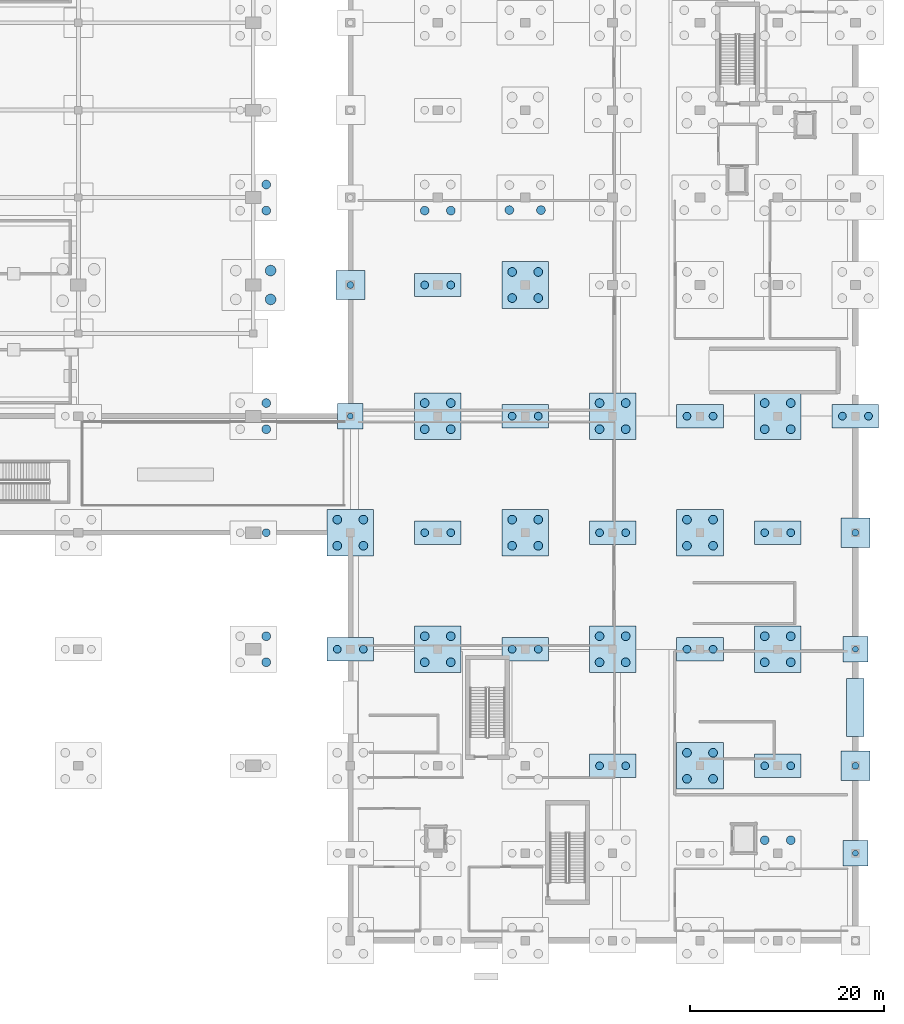
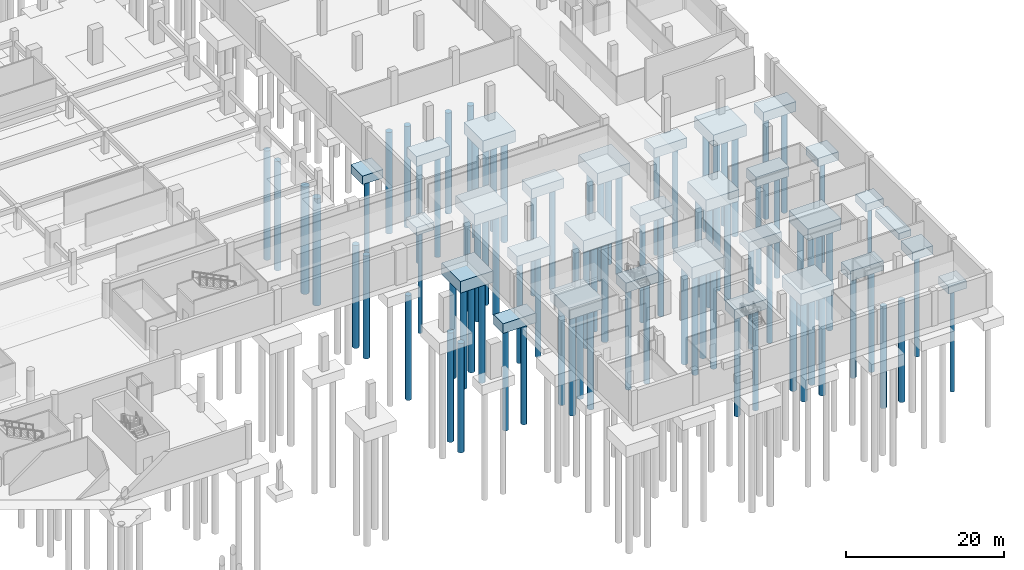
# One storey, part 6 of 26: 89 piles, 30 footings.
"""IFC4 building model written with IfcOpenShell, lengths in metres."""

from ifc_helpers import new_model, si_unit, direction, frame, origin, origin_2d, place, context, subcontext, project, spatial, polyline, circle, outline, extrude, material, material_profile, profile_set, type_object, element, save


model = new_model("IFC4")

# Units and contexts
model_context = context("Model", 3, precision=1e-05, world=origin(), true_north=direction((0.0, 1.0)))
body_context = subcontext(model_context, "Body", "Model", "MODEL_VIEW")
ifc_project = project(units=[si_unit("LENGTHUNIT", "METRE"), si_unit("AREAUNIT", "SQUARE_METRE"), si_unit("VOLUMEUNIT", "CUBIC_METRE"), si_unit("PLANEANGLEUNIT", "RADIAN"), si_unit("MASSUNIT", "GRAM", prefix="KILO")], contexts=[model_context])

# Site, building, storey
site_placement = place(None, origin())
site = spatial("IfcSite", under=ifc_project, at=site_placement, CompositionType="ELEMENT")
building_placement = place(site_placement, origin())
building = spatial("IfcBuilding", under=site, at=building_placement, Name="Chuanluo Vaults Station", CompositionType="ELEMENT")
storey_placement = place(building_placement, frame((0.0, 0.0, -5.39990234375)))
storey = spatial("IfcBuildingStorey", under=building, at=storey_placement, Name="B1", CompositionType="ELEMENT", Elevation=-5.39990234375)

# Footings
ifc_material_1 = material(Name="Concrete C40", Category="concrete")
footing_type_1 = type_object("IfcFootingType", Name="FTG-PC-2", PredefinedType="PILE_CAP", material=ifc_material_1)
footing_1_placement = place(storey_placement, frame((0.0, 0.0, -3.0)))
element("IfcFooting", 1, at=footing_1_placement, inside=storey, type_object=footing_type_1, Name="Pile cap PC-088", PredefinedType="PILE_CAP", context=body_context, shape_type="SweptSolid", body=[
    extrude(outline(polyline([(133.60009765625, 39.60009765625), (138.39990234375, 39.60009765625), (138.39990234375, 44.39990234375), (133.60009765625, 44.39990234375), (133.60009765625, 39.60009765625)])), origin(), (0.0, 0.0, 1.0), 1.7998046875),
])
footing_2_placement = place(storey_placement, frame((0.0, 0.0, -3.0)))
element("IfcFooting", 2, at=footing_2_placement, inside=storey, type_object=footing_type_1, Name="Pile cap PC-100", PredefinedType="PILE_CAP", context=body_context, shape_type="SweptSolid", body=[
    extrude(outline(polyline([(142.60009765625, 27.60009765625), (147.39990234375, 27.60009765625), (147.39990234375, 32.39990234375), (142.60009765625, 32.39990234375), (142.60009765625, 27.60009765625)])), origin(), (0.0, 0.0, 1.0), 1.7998046875),
])
footing_3_placement = place(storey_placement, frame((0.0, 0.0, -3.0)))
element("IfcFooting", 3, at=footing_3_placement, inside=storey, type_object=footing_type_1, Name="Pile cap PC-102", PredefinedType="PILE_CAP", context=body_context, shape_type="SweptSolid", body=[
    extrude(outline(polyline([(142.60009765625, 51.60009765625), (147.39990234375, 51.60009765625), (147.39990234375, 56.39990234375), (142.60009765625, 56.39990234375), (142.60009765625, 51.60009765625)])), origin(), (0.0, 0.0, 1.0), 1.7998046875),
])
footing_4_placement = place(storey_placement, frame((0.0, 0.0, -3.0)))
element("IfcFooting", 4, at=footing_4_placement, inside=storey, type_object=footing_type_1, Name="Pile cap PC-114", PredefinedType="PILE_CAP", context=body_context, shape_type="SweptSolid", body=[
    extrude(outline(polyline([(151.60009765625, 39.60009765625), (156.39990234375, 39.60009765625), (156.39990234375, 44.39990234375), (151.60009765625, 44.39990234375), (151.60009765625, 39.60009765625)])), origin(), (0.0, 0.0, 1.0), 1.7998046875),
])
footing_5_placement = place(storey_placement, frame((0.0, 0.0, -3.0)))
element("IfcFooting", 5, at=footing_5_placement, inside=storey, type_object=footing_type_1, Name="Pile cap PC-116", PredefinedType="PILE_CAP", context=body_context, shape_type="SweptSolid", body=[
    extrude(outline(polyline([(151.60009765625, 65.10009765625), (156.39990234375, 65.10009765625), (156.39990234375, 69.89990234375), (151.60009765625, 69.89990234375), (151.60009765625, 65.10009765625)])), origin(), (0.0, 0.0, 1.0), 1.7998046875),
])
footing_6_placement = place(storey_placement, frame((0.0, 0.0, -3.0)))
element("IfcFooting", 6, at=footing_6_placement, inside=storey, type_object=footing_type_1, Name="Pile cap PC-126", PredefinedType="PILE_CAP", context=body_context, shape_type="SweptSolid", body=[
    extrude(outline(polyline([(160.60009765625, 27.60009765625), (165.39990234375, 27.60009765625), (165.39990234375, 32.39990234375), (160.60009765625, 32.39990234375), (160.60009765625, 27.60009765625)])), origin(), (0.0, 0.0, 1.0), 1.7998046875),
])
footing_7_placement = place(storey_placement, frame((0.0, 0.0, -3.0)))
element("IfcFooting", 7, at=footing_7_placement, inside=storey, type_object=footing_type_1, Name="Pile cap PC-128", PredefinedType="PILE_CAP", context=body_context, shape_type="SweptSolid", body=[
    extrude(outline(polyline([(160.60009765625, 51.60009765625), (165.39990234375, 51.60009765625), (165.39990234375, 56.39990234375), (160.60009765625, 56.39990234375), (160.60009765625, 51.60009765625)])), origin(), (0.0, 0.0, 1.0), 1.7998046875),
])
footing_8_placement = place(storey_placement, frame((0.0, 0.0, -3.0)))
element("IfcFooting", 8, at=footing_8_placement, inside=storey, type_object=footing_type_1, Name="Pile cap PC-138", PredefinedType="PILE_CAP", context=body_context, shape_type="SweptSolid", body=[
    extrude(outline(polyline([(169.60009765625, 15.60009765625), (174.39990234375, 15.60009765625), (174.39990234375, 20.39990234375), (169.60009765625, 20.39990234375), (169.60009765625, 15.60009765625)])), origin(), (0.0, 0.0, 1.0), 1.7998046875),
])
footing_9_placement = place(storey_placement, frame((0.0, 0.0, -3.0)))
element("IfcFooting", 9, at=footing_9_placement, inside=storey, type_object=footing_type_1, Name="Pile cap PC-140", PredefinedType="PILE_CAP", context=body_context, shape_type="SweptSolid", body=[
    extrude(outline(polyline([(169.60009765625, 39.60009765625), (174.39990234375, 39.60009765625), (174.39990234375, 44.39990234375), (169.60009765625, 44.39990234375), (169.60009765625, 39.60009765625)])), origin(), (0.0, 0.0, 1.0), 1.7998046875),
])
footing_10_placement = place(storey_placement, frame((0.0, 0.0, -3.0)))
element("IfcFooting", 10, at=footing_10_placement, inside=storey, type_object=footing_type_1, Name="Pile cap PC-152", PredefinedType="PILE_CAP", context=body_context, shape_type="SweptSolid", body=[
    extrude(outline(polyline([(177.60009765625, 27.60009765625), (182.39990234375, 27.60009765625), (182.39990234375, 32.39990234375), (177.60009765625, 32.39990234375), (177.60009765625, 27.60009765625)])), origin(), (0.0, 0.0, 1.0), 1.7998046875),
])
footing_11_placement = place(storey_placement, frame((0.0, 0.0, -3.0)))
element("IfcFooting", 11, at=footing_11_placement, inside=storey, type_object=footing_type_1, Name="Pile cap PC-154", PredefinedType="PILE_CAP", context=body_context, shape_type="SweptSolid", body=[
    extrude(outline(polyline([(177.60009765625, 51.60009765625), (182.39990234375, 51.60009765625), (182.39990234375, 56.39990234375), (177.60009765625, 56.39990234375), (177.60009765625, 51.60009765625)])), origin(), (0.0, 0.0, 1.0), 1.7998046875),
])
ifc_material_2 = material(Name="Concrete C40", Category="concrete")
footing_type_2 = type_object("IfcFootingType", Name="FTG-PC-5", PredefinedType="PILE_CAP", material=ifc_material_2)
footing_12_placement = place(storey_placement, frame((0.0, 0.0, -2.5)))
element("IfcFooting", 12, at=footing_12_placement, inside=storey, type_object=footing_type_2, Name="Pile cap PC-090", PredefinedType="PILE_CAP", context=body_context, shape_type="SweptSolid", body=[
    extrude(outline(polyline([(134.5, 66.0), (137.5, 66.0), (137.5, 69.0), (134.5, 69.0), (134.5, 66.0)])), origin(), (0.0, 0.0, 1.0), 1.2998046875),
])
footing_13_placement = place(storey_placement, frame((0.0, 0.0, -2.5)))
element("IfcFooting", 13, at=footing_13_placement, inside=storey, type_object=footing_type_2, Name="Pile cap PC-164", PredefinedType="PILE_CAP", context=body_context, shape_type="SweptSolid", body=[
    extrude(outline(polyline([(186.5, 16.5), (189.5, 16.5), (189.5, 19.5), (186.5, 19.5), (186.5, 16.5)])), origin(), (0.0, 0.0, 1.0), 1.2998046875),
])
footing_14_placement = place(storey_placement, frame((0.0, 0.0, -2.5)))
element("IfcFooting", 14, at=footing_14_placement, inside=storey, type_object=footing_type_2, Name="Pile cap PC-166", PredefinedType="PILE_CAP", context=body_context, shape_type="SweptSolid", body=[
    extrude(outline(polyline([(186.5, 40.5), (189.5, 40.5), (189.5, 43.5), (186.5, 43.5), (186.5, 40.5)])), origin(), (0.0, 0.0, 1.0), 1.2998046875),
])
ifc_material_3 = material(Name="Concrete C40", Category="concrete")
footing_type_3 = type_object("IfcFootingType", Name="FTG-PC-6", PredefinedType="PILE_CAP", material=ifc_material_3)
footing_15_placement = place(storey_placement, frame((0.0, 0.0, -2.400146484375)))
element("IfcFooting", 15, at=footing_15_placement, inside=storey, type_object=footing_type_3, Name="Pile cap PC-089", PredefinedType="PILE_CAP", context=body_context, shape_type="SweptSolid", body=[
    extrude(outline(polyline([(134.699951171875, 52.699951171875), (137.300048828125, 52.699951171875), (137.300048828125, 55.300048828125), (134.699951171875, 55.300048828125), (134.699951171875, 52.699951171875)])), origin(), (0.0, 0.0, 1.0), 1.199951171875),
])
footing_16_placement = place(storey_placement, frame((0.0, 0.0, -2.400146484375)))
element("IfcFooting", 16, at=footing_16_placement, inside=storey, type_object=footing_type_3, Name="Pile cap PC-163", PredefinedType="PILE_CAP", context=body_context, shape_type="SweptSolid", body=[
    extrude(outline(polyline([(186.699951171875, 7.699951171875), (189.300048828125, 7.699951171875), (189.300048828125, 10.300048828125), (186.699951171875, 10.300048828125), (186.699951171875, 7.699951171875)])), origin(), (0.0, 0.0, 1.0), 1.199951171875),
])
footing_17_placement = place(storey_placement, frame((0.0, 0.0, -2.400146484375)))
element("IfcFooting", 17, at=footing_17_placement, inside=storey, type_object=footing_type_3, Name="Pile cap PC-165", PredefinedType="PILE_CAP", context=body_context, shape_type="SweptSolid", body=[
    extrude(outline(polyline([(186.699951171875, 28.699951171875), (189.300048828125, 28.699951171875), (189.300048828125, 31.300048828125), (186.699951171875, 31.300048828125), (186.699951171875, 28.699951171875)])), origin(), (0.0, 0.0, 1.0), 1.199951171875),
])
ifc_material_4 = material(Name="Concrete C40", Category="concrete")
footing_type_4 = type_object("IfcFootingType", Name="FTG-PC-7", PredefinedType="PILE_CAP", material=ifc_material_4)
footing_18_placement = place(storey_placement, frame((0.0, 0.0, -2.7001953125)))
element("IfcFooting", 18, at=footing_18_placement, inside=storey, type_object=footing_type_4, Name="Pile cap PC-087", PredefinedType="PILE_CAP", context=body_context, shape_type="SweptSolid", body=[
    extrude(outline(polyline([(133.60009765625, 28.800048828125), (138.39990234375, 28.800048828125), (138.39990234375, 31.199951171875), (133.60009765625, 31.199951171875), (133.60009765625, 28.800048828125)])), origin(), (0.0, 0.0, 1.0), 1.5),
])
footing_19_placement = place(storey_placement, frame((0.0, 0.0, -2.7001953125)))
element("IfcFooting", 19, at=footing_19_placement, inside=storey, type_object=footing_type_4, Name="Pile cap PC-101", PredefinedType="PILE_CAP", context=body_context, shape_type="SweptSolid", body=[
    extrude(outline(polyline([(142.60009765625, 40.800048828125), (147.39990234375, 40.800048828125), (147.39990234375, 43.199951171875), (142.60009765625, 43.199951171875), (142.60009765625, 40.800048828125)])), origin(), (0.0, 0.0, 1.0), 1.5),
])
footing_20_placement = place(storey_placement, frame((0.0, 0.0, -2.7001953125)))
element("IfcFooting", 20, at=footing_20_placement, inside=storey, type_object=footing_type_4, Name="Pile cap PC-103", PredefinedType="PILE_CAP", context=body_context, shape_type="SweptSolid", body=[
    extrude(outline(polyline([(142.60009765625, 66.300048828125), (147.39990234375, 66.300048828125), (147.39990234375, 68.699951171875), (142.60009765625, 68.699951171875), (142.60009765625, 66.300048828125)])), origin(), (0.0, 0.0, 1.0), 1.5),
])
footing_21_placement = place(storey_placement, frame((0.0, 0.0, -2.7001953125)))
element("IfcFooting", 21, at=footing_21_placement, inside=storey, type_object=footing_type_4, Name="Pile cap PC-113", PredefinedType="PILE_CAP", context=body_context, shape_type="SweptSolid", body=[
    extrude(outline(polyline([(151.60009765625, 28.800048828125), (156.39990234375, 28.800048828125), (156.39990234375, 31.199951171875), (151.60009765625, 31.199951171875), (151.60009765625, 28.800048828125)])), origin(), (0.0, 0.0, 1.0), 1.5),
])
footing_22_placement = place(storey_placement, frame((0.0, 0.0, -2.7001953125)))
element("IfcFooting", 22, at=footing_22_placement, inside=storey, type_object=footing_type_4, Name="Pile cap PC-115", PredefinedType="PILE_CAP", context=body_context, shape_type="SweptSolid", body=[
    extrude(outline(polyline([(151.60009765625, 52.800048828125), (156.39990234375, 52.800048828125), (156.39990234375, 55.199951171875), (151.60009765625, 55.199951171875), (151.60009765625, 52.800048828125)])), origin(), (0.0, 0.0, 1.0), 1.5),
])
footing_23_placement = place(storey_placement, frame((0.0, 0.0, -2.7001953125)))
element("IfcFooting", 23, at=footing_23_placement, inside=storey, type_object=footing_type_4, Name="Pile cap PC-125", PredefinedType="PILE_CAP", context=body_context, shape_type="SweptSolid", body=[
    extrude(outline(polyline([(160.60009765625, 16.800048828125), (165.39990234375, 16.800048828125), (165.39990234375, 19.199951171875), (160.60009765625, 19.199951171875), (160.60009765625, 16.800048828125)])), origin(), (0.0, 0.0, 1.0), 1.5),
])
footing_24_placement = place(storey_placement, frame((0.0, 0.0, -2.7001953125)))
element("IfcFooting", 24, at=footing_24_placement, inside=storey, type_object=footing_type_4, Name="Pile cap PC-127", PredefinedType="PILE_CAP", context=body_context, shape_type="SweptSolid", body=[
    extrude(outline(polyline([(160.60009765625, 40.800048828125), (165.39990234375, 40.800048828125), (165.39990234375, 43.199951171875), (160.60009765625, 43.199951171875), (160.60009765625, 40.800048828125)])), origin(), (0.0, 0.0, 1.0), 1.5),
])
footing_25_placement = place(storey_placement, frame((0.0, 0.0, -2.7001953125)))
element("IfcFooting", 25, at=footing_25_placement, inside=storey, type_object=footing_type_4, Name="Pile cap PC-139", PredefinedType="PILE_CAP", context=body_context, shape_type="SweptSolid", body=[
    extrude(outline(polyline([(169.60009765625, 28.800048828125), (174.39990234375, 28.800048828125), (174.39990234375, 31.199951171875), (169.60009765625, 31.199951171875), (169.60009765625, 28.800048828125)])), origin(), (0.0, 0.0, 1.0), 1.5),
])
footing_26_placement = place(storey_placement, frame((0.0, 0.0, -2.7001953125)))
element("IfcFooting", 26, at=footing_26_placement, inside=storey, type_object=footing_type_4, Name="Pile cap PC-141", PredefinedType="PILE_CAP", context=body_context, shape_type="SweptSolid", body=[
    extrude(outline(polyline([(169.60009765625, 52.800048828125), (174.39990234375, 52.800048828125), (174.39990234375, 55.199951171875), (169.60009765625, 55.199951171875), (169.60009765625, 52.800048828125)])), origin(), (0.0, 0.0, 1.0), 1.5),
])
footing_27_placement = place(storey_placement, frame((0.0, 0.0, -2.7001953125)))
element("IfcFooting", 27, at=footing_27_placement, inside=storey, type_object=footing_type_4, Name="Pile cap PC-151", PredefinedType="PILE_CAP", context=body_context, shape_type="SweptSolid", body=[
    extrude(outline(polyline([(177.60009765625, 16.800048828125), (182.39990234375, 16.800048828125), (182.39990234375, 19.199951171875), (177.60009765625, 19.199951171875), (177.60009765625, 16.800048828125)])), origin(), (0.0, 0.0, 1.0), 1.5),
])
footing_28_placement = place(storey_placement, frame((0.0, 0.0, -2.7001953125)))
element("IfcFooting", 28, at=footing_28_placement, inside=storey, type_object=footing_type_4, Name="Pile cap PC-153", PredefinedType="PILE_CAP", context=body_context, shape_type="SweptSolid", body=[
    extrude(outline(polyline([(177.60009765625, 40.800048828125), (182.39990234375, 40.800048828125), (182.39990234375, 43.199951171875), (177.60009765625, 43.199951171875), (177.60009765625, 40.800048828125)])), origin(), (0.0, 0.0, 1.0), 1.5),
])
footing_29_placement = place(storey_placement, frame((0.0, 0.0, -2.7001953125)))
element("IfcFooting", 29, at=footing_29_placement, inside=storey, type_object=footing_type_4, Name="Pile cap PC-167", PredefinedType="PILE_CAP", context=body_context, shape_type="SweptSolid", body=[
    extrude(outline(polyline([(185.60009765625, 52.800048828125), (190.39990234375, 52.800048828125), (190.39990234375, 55.199951171875), (185.60009765625, 55.199951171875), (185.60009765625, 52.800048828125)])), origin(), (0.0, 0.0, 1.0), 1.5),
])
ifc_material_5 = material(Name="Concrete C40", Category="concrete")
footing_type_5 = type_object("IfcFootingType", Name="FTG-SF-1", PredefinedType="STRIP_FOOTING", material=ifc_material_5)
footing_30_placement = place(storey_placement, frame((0.0, 0.0, -2.2001953125)))
element("IfcFooting", 30, at=footing_30_placement, inside=storey, type_object=footing_type_5, Name="Perimeter wall strip footing SF-02", PredefinedType="STRIP_FOOTING", context=body_context, shape_type="SweptSolid", body=[
    extrude(outline(polyline([(187.10009765625, 21.0), (188.89990234375, 21.0), (188.89990234375, 27.0), (187.10009765625, 27.0), (187.10009765625, 21.0)])), origin(), (0.0, 0.0, 1.0), 1.0),
])

# Piles
ifc_material_6 = material(Name="Concrete C40", Category="concrete")
ifc_material_profile_1 = material_profile(ifc_material_6, circle(Radius=0.550048828125, at=origin_2d()))
ifc_profile_set_1 = profile_set([ifc_material_profile_1], Name="Concrete C40")
pile_type_1 = type_object("IfcPileType", Name="PIL-1100", PredefinedType="BORED", material=ifc_profile_set_1)
for number, where, z_axis, x_axis, name in (
    (31, (127.7919921875, 66.014892578125, -1.97998046875), (0.0, 0.0, -1.0), (1.0, 0.0, 0.0), "Rock-socketed bored pile 206"),
    (32, (127.7919921875, 68.985107421875, -1.97998046875), (0.0, 0.0, -1.0), (1.0, 0.0, 0.0), "Rock-socketed bored pile 208"),
):
    element("IfcPile", number, at=place(storey_placement, frame(where, z_axis=z_axis, x_axis=x_axis)), inside=storey, type_object=pile_type_1, Name=name, PredefinedType="BORED", context=body_context, shape_type="SweptSolid", body=[
        extrude(circle(Radius=0.550048828125, at=origin_2d()), origin(), (0.0, 0.0, 1.0), 16.6201171875),
    ])
ifc_material_7 = material(Name="Concrete C40", Category="concrete")
ifc_material_profile_2 = material_profile(ifc_material_7, circle(Radius=0.300048828125, at=origin_2d()))
ifc_profile_set_2 = profile_set([ifc_material_profile_2], Name="Concrete C40")
pile_type_2 = type_object("IfcPileType", Name="PIL-600", PredefinedType="BORED", material=ifc_profile_set_2)
for number, where, z_axis, x_axis, name in (
    (33, (136.0, 54.0, -2.280029296875), (0.0, 0.0, -1.0), (1.0, 0.0, 0.0), "Rock-socketed bored pile 247"),
    (34, (188.0, 9.0, -2.280029296875), (0.0, 0.0, -1.0), (1.0, 0.0, 0.0), "Rock-socketed bored pile 487"),
    (35, (188.0, 30.0, -2.280029296875), (0.0, 0.0, -1.0), (1.0, 0.0, 0.0), "Rock-socketed bored pile 489"),
):
    element("IfcPile", number, at=place(storey_placement, frame(where, z_axis=z_axis, x_axis=x_axis)), inside=storey, type_object=pile_type_2, Name=name, PredefinedType="BORED", context=body_context, shape_type="SweptSolid", body=[
        extrude(circle(Radius=0.300048828125, at=origin_2d()), origin(), (0.0, 0.0, 1.0), 16.320068359375),
    ])
ifc_material_8 = material(Name="Concrete C40", Category="concrete")
ifc_material_profile_3 = material_profile(ifc_material_8, circle(Radius=0.35009765625, at=origin_2d()))
ifc_profile_set_3 = profile_set([ifc_material_profile_3], Name="Concrete C40")
pile_type_3 = type_object("IfcPileType", Name="PIL-700", PredefinedType="BORED", material=ifc_profile_set_3)
for number, where, z_axis, x_axis, name in (
    (36, (136.0, 67.5, -2.380126953125), (0.0, 0.0, -1.0), (1.0, 0.0, 0.0), "Rock-socketed bored pile 248"),
    (37, (188.0, 18.0, -2.380126953125), (0.0, 0.0, -1.0), (1.0, 0.0, 0.0), "Rock-socketed bored pile 488"),
    (38, (188.0, 42.0, -2.380126953125), (0.0, 0.0, -1.0), (1.0, 0.0, 0.0), "Rock-socketed bored pile 490"),
):
    element("IfcPile", number, at=place(storey_placement, frame(where, z_axis=z_axis, x_axis=x_axis)), inside=storey, type_object=pile_type_3, Name=name, PredefinedType="BORED", context=body_context, shape_type="SweptSolid", body=[
        extrude(circle(Radius=0.35009765625, at=origin_2d()), origin(), (0.0, 0.0, 1.0), 16.219970703125),
    ])
ifc_material_9 = material(Name="Concrete C40", Category="concrete")
ifc_material_profile_4 = material_profile(ifc_material_9, circle(Radius=0.39990234375, at=origin_2d()))
ifc_profile_set_4 = profile_set([ifc_material_profile_4], Name="Concrete C40")
pile_type_4 = type_object("IfcPileType", Name="PIL-800", PredefinedType="BORED", material=ifc_profile_set_4)
pile_placement = place(storey_placement, frame((127.343994140625, 42.0, -2.380126953125), z_axis=(0.0, 0.0, -1.0), x_axis=(1.0, 0.0, 0.0)))
element("IfcPile", 39, at=pile_placement, inside=storey, type_object=pile_type_4, Name="Rock-socketed bored pile 200", PredefinedType="BORED", context=body_context, shape_type="SweptSolid", body=[
    extrude(circle(Radius=0.39990234375, at=origin_2d()), origin(), (0.0, 0.0, 1.0), 16.219970703125),
])
for number, where, z_axis, x_axis, name in (
    (40, (134.656005859375, 30.0, -2.580078125), (0.0, 0.0, -1.0), (1.0, 0.0, 0.0), "Rock-socketed bored pile 241"),
    (41, (137.343994140625, 30.0, -2.580078125), (0.0, 0.0, -1.0), (1.0, 0.0, 0.0), "Rock-socketed bored pile 242"),
    (42, (143.656005859375, 42.0, -2.580078125), (0.0, 0.0, -1.0), (1.0, 0.0, 0.0), "Rock-socketed bored pile 276"),
    (43, (146.343994140625, 42.0, -2.580078125), (0.0, 0.0, -1.0), (1.0, 0.0, 0.0), "Rock-socketed bored pile 277"),
    (44, (143.656005859375, 67.5, -2.580078125), (0.0, 0.0, -1.0), (1.0, 0.0, 0.0), "Rock-socketed bored pile 282"),
    (45, (146.343994140625, 67.5, -2.580078125), (0.0, 0.0, -1.0), (1.0, 0.0, 0.0), "Rock-socketed bored pile 283"),
    (46, (152.656005859375, 30.0, -2.580078125), (0.0, 0.0, -1.0), (1.0, 0.0, 0.0), "Rock-socketed bored pile 316"),
    (47, (155.343994140625, 30.0, -2.580078125), (0.0, 0.0, -1.0), (1.0, 0.0, 0.0), "Rock-socketed bored pile 317"),
    (48, (152.656005859375, 54.0, -2.580078125), (0.0, 0.0, -1.0), (1.0, 0.0, 0.0), "Rock-socketed bored pile 322"),
    (49, (155.343994140625, 54.0, -2.580078125), (0.0, 0.0, -1.0), (1.0, 0.0, 0.0), "Rock-socketed bored pile 323"),
    (50, (161.656005859375, 18.0, -2.580078125), (0.0, 0.0, -1.0), (1.0, 0.0, 0.0), "Rock-socketed bored pile 358"),
    (51, (164.343994140625, 18.0, -2.580078125), (0.0, 0.0, -1.0), (1.0, 0.0, 0.0), "Rock-socketed bored pile 359"),
    (52, (161.656005859375, 42.0, -2.580078125), (0.0, 0.0, -1.0), (1.0, 0.0, 0.0), "Rock-socketed bored pile 364"),
    (53, (164.343994140625, 42.0, -2.580078125), (0.0, 0.0, -1.0), (1.0, 0.0, 0.0), "Rock-socketed bored pile 365"),
    (54, (170.656005859375, 30.0, -2.580078125), (0.0, 0.0, -1.0), (1.0, 0.0, 0.0), "Rock-socketed bored pile 406"),
    (55, (173.343994140625, 30.0, -2.580078125), (0.0, 0.0, -1.0), (1.0, 0.0, 0.0), "Rock-socketed bored pile 407"),
    (56, (170.656005859375, 54.0, -2.580078125), (0.0, 0.0, -1.0), (1.0, 0.0, 0.0), "Rock-socketed bored pile 412"),
    (57, (173.343994140625, 54.0, -2.580078125), (0.0, 0.0, -1.0), (1.0, 0.0, 0.0), "Rock-socketed bored pile 413"),
    (58, (178.656005859375, 18.0, -2.580078125), (0.0, 0.0, -1.0), (1.0, 0.0, 0.0), "Rock-socketed bored pile 448"),
    (59, (181.343994140625, 18.0, -2.580078125), (0.0, 0.0, -1.0), (1.0, 0.0, 0.0), "Rock-socketed bored pile 449"),
    (60, (178.656005859375, 42.0, -2.580078125), (0.0, 0.0, -1.0), (1.0, 0.0, 0.0), "Rock-socketed bored pile 454"),
    (61, (181.343994140625, 42.0, -2.580078125), (0.0, 0.0, -1.0), (1.0, 0.0, 0.0), "Rock-socketed bored pile 455"),
    (62, (186.656005859375, 54.0, -2.580078125), (0.0, 0.0, -1.0), (1.0, 0.0, 0.0), "Rock-socketed bored pile 491"),
    (63, (189.343994140625, 54.0, -2.580078125), (0.0, 0.0, -1.0), (1.0, 0.0, 0.0), "Rock-socketed bored pile 492"),
):
    element("IfcPile", number, at=place(storey_placement, frame(where, z_axis=z_axis, x_axis=x_axis)), inside=storey, type_object=pile_type_4, Name=name, PredefinedType="BORED", context=body_context, shape_type="SweptSolid", body=[
        extrude(circle(Radius=0.39990234375, at=origin_2d()), origin(), (0.0, 0.0, 1.0), 16.02001953125),
    ])
ifc_material_10 = material(Name="Concrete C40", Category="concrete")
ifc_material_profile_5 = material_profile(ifc_material_10, circle(Radius=0.449951171875, at=origin_2d()))
ifc_profile_set_5 = profile_set([ifc_material_profile_5], Name="Concrete C40")
pile_type_5 = type_object("IfcPileType", Name="PIL-900", PredefinedType="BORED", material=ifc_profile_set_5)
for number, where, z_axis, x_axis, name in (
    (64, (127.343994140625, 28.656005859375, -1.68017578125), (0.0, 0.0, -1.0), (1.0, 0.0, 0.0), "Rock-socketed bored pile 196"),
    (65, (127.343994140625, 31.343994140625, -1.68017578125), (0.0, 0.0, -1.0), (1.0, 0.0, 0.0), "Rock-socketed bored pile 198"),
):
    element("IfcPile", number, at=place(storey_placement, frame(where, z_axis=z_axis, x_axis=x_axis)), inside=storey, type_object=pile_type_5, Name=name, PredefinedType="BORED", context=body_context, shape_type="SweptSolid", body=[
        extrude(circle(Radius=0.449951171875, at=origin_2d()), origin(), (0.0, 0.0, 1.0), 16.919921875),
    ])
for number, where, z_axis, x_axis, name in (
    (66, (127.343994140625, 52.656005859375, -2.68017578125), (0.0, 0.0, -1.0), (1.0, 0.0, 0.0), "Rock-socketed bored pile 202"),
    (67, (127.343994140625, 55.343994140625, -2.68017578125), (0.0, 0.0, -1.0), (1.0, 0.0, 0.0), "Rock-socketed bored pile 204"),
):
    element("IfcPile", number, at=place(storey_placement, frame(where, z_axis=z_axis, x_axis=x_axis)), inside=storey, type_object=pile_type_5, Name=name, PredefinedType="BORED", context=body_context, shape_type="SweptSolid", body=[
        extrude(circle(Radius=0.449951171875, at=origin_2d()), origin(), (0.0, 0.0, 1.0), 15.919921875),
    ])
for number, where, z_axis, x_axis, name in (
    (68, (127.343994140625, 75.156005859375, -1.68017578125), (0.0, 0.0, -1.0), (1.0, 0.0, 0.0), "Rock-socketed bored pile 210"),
    (69, (127.343994140625, 77.843994140625, -1.68017578125), (0.0, 0.0, -1.0), (1.0, 0.0, 0.0), "Rock-socketed bored pile 212"),
):
    element("IfcPile", number, at=place(storey_placement, frame(where, z_axis=z_axis, x_axis=x_axis)), inside=storey, type_object=pile_type_5, Name=name, PredefinedType="BORED", context=body_context, shape_type="SweptSolid", body=[
        extrude(circle(Radius=0.449951171875, at=origin_2d()), origin(), (0.0, 0.0, 1.0), 16.919921875),
    ])
for number, where, z_axis, x_axis, name in (
    (70, (134.656005859375, 40.656005859375, -2.880126953125), (0.0, 0.0, -1.0), (1.0, 0.0, 0.0), "Rock-socketed bored pile 243"),
    (71, (137.343994140625, 40.656005859375, -2.880126953125), (0.0, 0.0, -1.0), (1.0, 0.0, 0.0), "Rock-socketed bored pile 244"),
    (72, (134.656005859375, 43.343994140625, -2.880126953125), (0.0, 0.0, -1.0), (1.0, 0.0, 0.0), "Rock-socketed bored pile 245"),
    (73, (137.343994140625, 43.343994140625, -2.880126953125), (0.0, 0.0, -1.0), (1.0, 0.0, 0.0), "Rock-socketed bored pile 246"),
    (74, (143.656005859375, 28.656005859375, -2.880126953125), (0.0, 0.0, -1.0), (1.0, 0.0, 0.0), "Rock-socketed bored pile 272"),
    (75, (146.343994140625, 28.656005859375, -2.880126953125), (0.0, 0.0, -1.0), (1.0, 0.0, 0.0), "Rock-socketed bored pile 273"),
    (76, (143.656005859375, 31.343994140625, -2.880126953125), (0.0, 0.0, -1.0), (1.0, 0.0, 0.0), "Rock-socketed bored pile 274"),
    (77, (146.343994140625, 31.343994140625, -2.880126953125), (0.0, 0.0, -1.0), (1.0, 0.0, 0.0), "Rock-socketed bored pile 275"),
    (78, (143.656005859375, 52.656005859375, -2.880126953125), (0.0, 0.0, -1.0), (1.0, 0.0, 0.0), "Rock-socketed bored pile 278"),
    (79, (146.343994140625, 52.656005859375, -2.880126953125), (0.0, 0.0, -1.0), (1.0, 0.0, 0.0), "Rock-socketed bored pile 279"),
    (80, (143.656005859375, 55.343994140625, -2.880126953125), (0.0, 0.0, -1.0), (1.0, 0.0, 0.0), "Rock-socketed bored pile 280"),
    (81, (146.343994140625, 55.343994140625, -2.880126953125), (0.0, 0.0, -1.0), (1.0, 0.0, 0.0), "Rock-socketed bored pile 281"),
    (82, (143.656005859375, 75.156005859375, -2.880126953125), (0.0, 0.0, -1.0), (1.0, 0.0, 0.0), "Rock-socketed bored pile 284"),
    (83, (146.343994140625, 75.156005859375, -2.880126953125), (0.0, 0.0, -1.0), (1.0, 0.0, 0.0), "Rock-socketed bored pile 285"),
    (84, (152.656005859375, 40.656005859375, -2.880126953125), (0.0, 0.0, -1.0), (1.0, 0.0, 0.0), "Rock-socketed bored pile 318"),
    (85, (155.343994140625, 40.656005859375, -2.880126953125), (0.0, 0.0, -1.0), (1.0, 0.0, 0.0), "Rock-socketed bored pile 319"),
    (86, (152.656005859375, 43.343994140625, -2.880126953125), (0.0, 0.0, -1.0), (1.0, 0.0, 0.0), "Rock-socketed bored pile 320"),
    (87, (155.343994140625, 43.343994140625, -2.880126953125), (0.0, 0.0, -1.0), (1.0, 0.0, 0.0), "Rock-socketed bored pile 321"),
    (88, (152.656005859375, 66.156005859375, -2.880126953125), (0.0, 0.0, -1.0), (1.0, 0.0, 0.0), "Rock-socketed bored pile 324"),
    (89, (155.343994140625, 66.156005859375, -2.880126953125), (0.0, 0.0, -1.0), (1.0, 0.0, 0.0), "Rock-socketed bored pile 325"),
    (90, (152.656005859375, 68.843994140625, -2.880126953125), (0.0, 0.0, -1.0), (1.0, 0.0, 0.0), "Rock-socketed bored pile 326"),
    (91, (155.343994140625, 68.843994140625, -2.880126953125), (0.0, 0.0, -1.0), (1.0, 0.0, 0.0), "Rock-socketed bored pile 327"),
):
    element("IfcPile", number, at=place(storey_placement, frame(where, z_axis=z_axis, x_axis=x_axis)), inside=storey, type_object=pile_type_5, Name=name, PredefinedType="BORED", context=body_context, shape_type="SweptSolid", body=[
        extrude(circle(Radius=0.449951171875, at=origin_2d()), origin(), (0.0, 0.0, 1.0), 15.719970703125),
    ])
for number, where, z_axis, x_axis, name in (
    (92, (152.3759765625, 75.2119140625, -2.97998046875), (0.0, 0.0, -1.0), (1.0, 0.0, 0.0), "Rock-socketed bored pile 328"),
    (93, (155.6240234375, 75.2119140625, -2.97998046875), (0.0, 0.0, -1.0), (1.0, 0.0, 0.0), "Rock-socketed bored pile 329"),
):
    element("IfcPile", number, at=place(storey_placement, frame(where, z_axis=z_axis, x_axis=x_axis)), inside=storey, type_object=pile_type_5, Name=name, PredefinedType="BORED", context=body_context, shape_type="SweptSolid", body=[
        extrude(circle(Radius=0.449951171875, at=origin_2d()), origin(), (0.0, 0.0, 1.0), 15.6201171875),
    ])
for number, where, z_axis, x_axis, name in (
    (94, (161.656005859375, 28.656005859375, -2.880126953125), (0.0, 0.0, -1.0), (1.0, 0.0, 0.0), "Rock-socketed bored pile 360"),
    (95, (164.343994140625, 28.656005859375, -2.880126953125), (0.0, 0.0, -1.0), (1.0, 0.0, 0.0), "Rock-socketed bored pile 361"),
    (96, (161.656005859375, 31.343994140625, -2.880126953125), (0.0, 0.0, -1.0), (1.0, 0.0, 0.0), "Rock-socketed bored pile 362"),
    (97, (164.343994140625, 31.343994140625, -2.880126953125), (0.0, 0.0, -1.0), (1.0, 0.0, 0.0), "Rock-socketed bored pile 363"),
    (98, (161.656005859375, 52.656005859375, -2.880126953125), (0.0, 0.0, -1.0), (1.0, 0.0, 0.0), "Rock-socketed bored pile 366"),
    (99, (164.343994140625, 52.656005859375, -2.880126953125), (0.0, 0.0, -1.0), (1.0, 0.0, 0.0), "Rock-socketed bored pile 367"),
    (100, (161.656005859375, 55.343994140625, -2.880126953125), (0.0, 0.0, -1.0), (1.0, 0.0, 0.0), "Rock-socketed bored pile 368"),
    (101, (164.343994140625, 55.343994140625, -2.880126953125), (0.0, 0.0, -1.0), (1.0, 0.0, 0.0), "Rock-socketed bored pile 369"),
    (102, (170.656005859375, 16.656005859375, -2.880126953125), (0.0, 0.0, -1.0), (1.0, 0.0, 0.0), "Rock-socketed bored pile 402"),
    (103, (173.343994140625, 16.656005859375, -2.880126953125), (0.0, 0.0, -1.0), (1.0, 0.0, 0.0), "Rock-socketed bored pile 403"),
    (104, (170.656005859375, 19.343994140625, -2.880126953125), (0.0, 0.0, -1.0), (1.0, 0.0, 0.0), "Rock-socketed bored pile 404"),
    (105, (173.343994140625, 19.343994140625, -2.880126953125), (0.0, 0.0, -1.0), (1.0, 0.0, 0.0), "Rock-socketed bored pile 405"),
    (106, (170.656005859375, 40.656005859375, -2.880126953125), (0.0, 0.0, -1.0), (1.0, 0.0, 0.0), "Rock-socketed bored pile 408"),
    (107, (173.343994140625, 40.656005859375, -2.880126953125), (0.0, 0.0, -1.0), (1.0, 0.0, 0.0), "Rock-socketed bored pile 409"),
    (108, (170.656005859375, 43.343994140625, -2.880126953125), (0.0, 0.0, -1.0), (1.0, 0.0, 0.0), "Rock-socketed bored pile 410"),
    (109, (173.343994140625, 43.343994140625, -2.880126953125), (0.0, 0.0, -1.0), (1.0, 0.0, 0.0), "Rock-socketed bored pile 411"),
    (110, (178.656005859375, 10.343994140625, -2.880126953125), (0.0, 0.0, -1.0), (1.0, 0.0, 0.0), "Rock-socketed bored pile 446"),
    (111, (181.343994140625, 10.343994140625, -2.880126953125), (0.0, 0.0, -1.0), (1.0, 0.0, 0.0), "Rock-socketed bored pile 447"),
    (112, (178.656005859375, 28.656005859375, -2.880126953125), (0.0, 0.0, -1.0), (1.0, 0.0, 0.0), "Rock-socketed bored pile 450"),
    (113, (181.343994140625, 28.656005859375, -2.880126953125), (0.0, 0.0, -1.0), (1.0, 0.0, 0.0), "Rock-socketed bored pile 451"),
    (114, (178.656005859375, 31.343994140625, -2.880126953125), (0.0, 0.0, -1.0), (1.0, 0.0, 0.0), "Rock-socketed bored pile 452"),
    (115, (181.343994140625, 31.343994140625, -2.880126953125), (0.0, 0.0, -1.0), (1.0, 0.0, 0.0), "Rock-socketed bored pile 453"),
    (116, (178.656005859375, 52.656005859375, -2.880126953125), (0.0, 0.0, -1.0), (1.0, 0.0, 0.0), "Rock-socketed bored pile 456"),
    (117, (181.343994140625, 52.656005859375, -2.880126953125), (0.0, 0.0, -1.0), (1.0, 0.0, 0.0), "Rock-socketed bored pile 457"),
    (118, (178.656005859375, 55.343994140625, -2.880126953125), (0.0, 0.0, -1.0), (1.0, 0.0, 0.0), "Rock-socketed bored pile 458"),
    (119, (181.343994140625, 55.343994140625, -2.880126953125), (0.0, 0.0, -1.0), (1.0, 0.0, 0.0), "Rock-socketed bored pile 459"),
):
    element("IfcPile", number, at=place(storey_placement, frame(where, z_axis=z_axis, x_axis=x_axis)), inside=storey, type_object=pile_type_5, Name=name, PredefinedType="BORED", context=body_context, shape_type="SweptSolid", body=[
        extrude(circle(Radius=0.449951171875, at=origin_2d()), origin(), (0.0, 0.0, 1.0), 15.719970703125),
    ])

save(model, "model.ifc")
